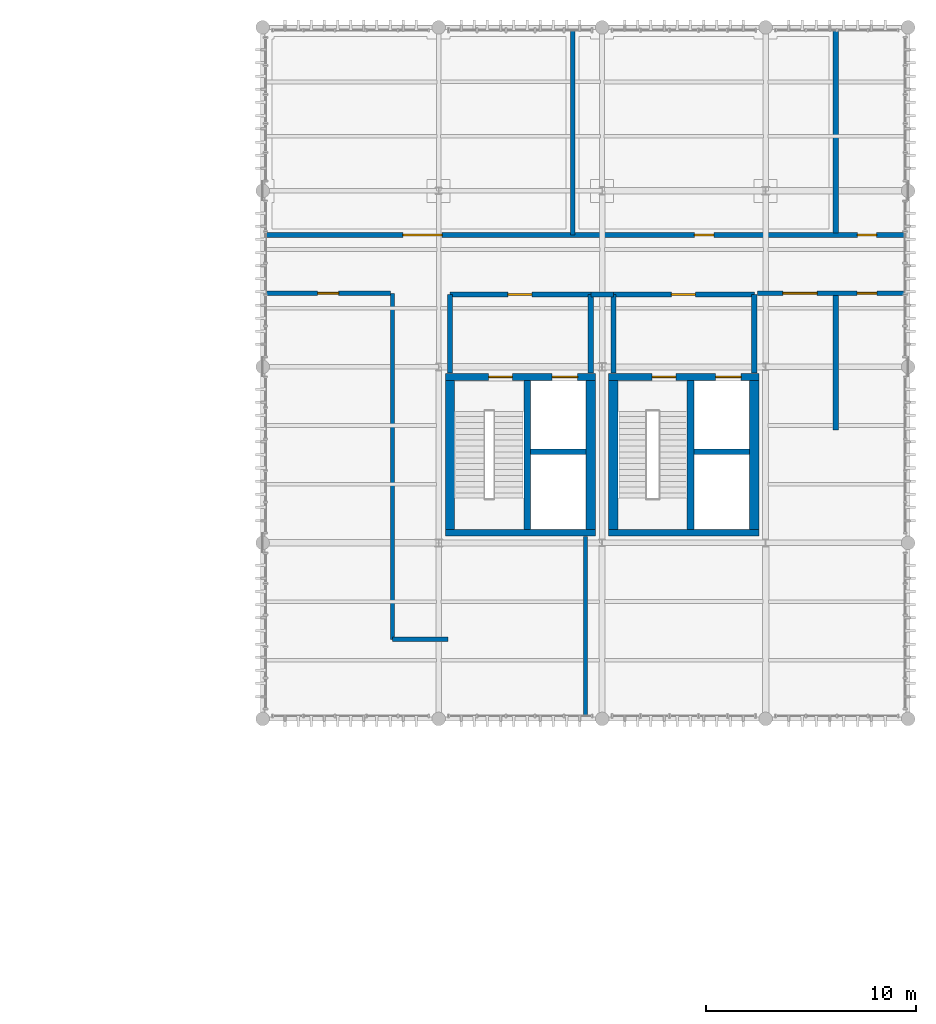
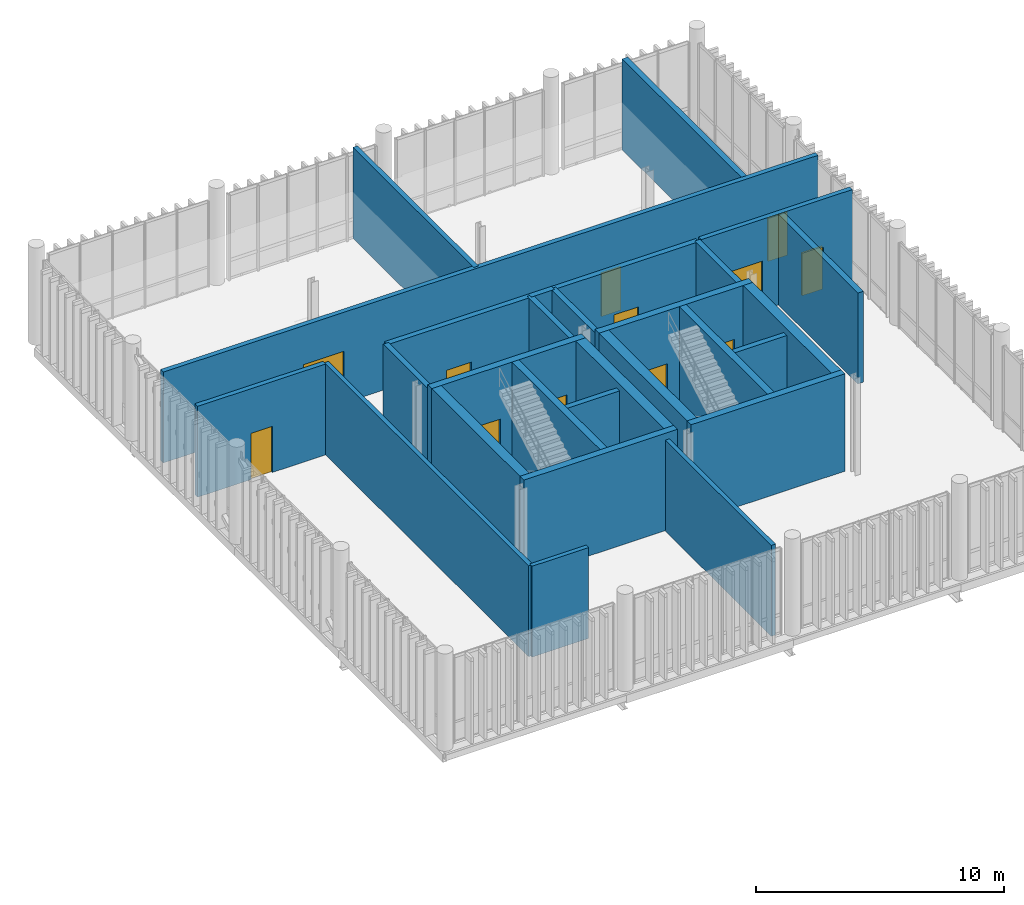
# One storey, part 74 of 86: 28 walls, 12 doors, 12 openings.
"""IFC4 building model written with IfcOpenShell, lengths in metres."""

from ifc_helpers import new_model, si_unit, direction, frame, frame_2d, origin_with_axes, place, context, subcontext, project, spatial, rectangle, extrude, material, layer, layer_set, type_object, element, fill, save


model = new_model("IFC4")

# Units and contexts
model_context = context("Model", 3, precision=1e-05, world=origin_with_axes(), true_north=direction((0.0, 1.0)))
body_context = subcontext(model_context, "Body", "Model", "MODEL_VIEW")
ifc_project = project(units=[si_unit("LENGTHUNIT", "METRE"), si_unit("AREAUNIT", "SQUARE_METRE"), si_unit("VOLUMEUNIT", "CUBIC_METRE"), si_unit("PLANEANGLEUNIT", "RADIAN"), si_unit("MASSUNIT", "GRAM", prefix="KILO"), si_unit("THERMODYNAMICTEMPERATUREUNIT", "KELVIN")], contexts=[model_context])

# Site, building, storey
site_placement = place(None, origin_with_axes())
site = spatial("IfcSite", under=ifc_project, at=site_placement, CompositionType="ELEMENT")
building_placement = place(site_placement, origin_with_axes())
building = spatial("IfcBuilding", under=site, at=building_placement, Name="Montbau Bow Law Courts", CompositionType="ELEMENT")
storey_placement = place(building_placement, frame((0.0, 0.0, 29.7), z_axis=(0.0, 0.0, 1.0), x_axis=(1.0, 0.0, 0.0)))
storey = spatial("IfcBuildingStorey", under=building, at=storey_placement, Name="L06", CompositionType="ELEMENT", Elevation=29.7)

# Walls
ifc_material_1 = material(Name="Concrete CSA A23.1 f'c 45 MPa", Category="concrete")
ifc_layer_1 = layer(ifc_material_1, 0.45, Name="Shear Wall", Category="concrete")
ifc_layer_set_1 = layer_set([ifc_layer_1], Name="Concrete CSA A23.1 f'c 45 MPa")
wall_type_1 = type_object("IfcWallType", Name="W-COR-02", PredefinedType="SHEAR", material=ifc_layer_set_1)
for number, where, z_axis, x_axis, name in (
    (1, (154.26, 87.04, 29.7), (0.0, 0.0, 1.0), (0.0, 1.0, 0.0), "WC-L06-0339:wal_0406"),
    (2, (147.54, 94.16, 29.7), (0.0, 0.0, 1.0), (0.0, -1.0, 0.0), "WC-L06-0340:wal_0407"),
    (3, (162.06, 87.04, 29.7), (0.0, 0.0, 1.0), (0.0, 1.0, 0.0), "WC-L06-0442:wal_0509"),
    (4, (155.34, 94.16, 29.7), (0.0, 0.0, 1.0), (0.0, -1.0, 0.0), "WC-L06-0443:wal_0510"),
):
    element("IfcWall", number, at=place(None, frame(where, z_axis=z_axis, x_axis=x_axis)), inside=storey, type_object=wall_type_1, Name=name, PredefinedType="SHEAR", context=body_context, shape_type="SweptSolid", body=[
        extrude(rectangle(XDim=7.11999999999999, YDim=0.45, at=frame_2d((3.56, 0.0), x_axis=(1.0, 0.0))), origin_with_axes(), (0.0, 0.0, 1.0), 4.8),
    ])
ifc_layer_2 = layer(ifc_material_1, 0.32, Name="Shear Wall", Category="concrete")
ifc_layer_set_2 = layer_set([ifc_layer_2], Name="Concrete CSA A23.1 f'c 45 MPa")
wall_type_2 = type_object("IfcWallType", Name="W-COR-05", PredefinedType="SHEAR", material=ifc_layer_set_2)
wall_1_placement = place(None, frame((147.315, 86.88, 29.7), z_axis=(0.0, 0.0, 1.0), x_axis=(1.0, 0.0, 0.0)))
element("IfcWall", 5, at=wall_1_placement, inside=storey, type_object=wall_type_2, Name="WC-L06-0337:wal_0404", PredefinedType="SHEAR", context=body_context, shape_type="SweptSolid", body=[
    extrude(rectangle(XDim=7.170000000000016, YDim=0.32, at=frame_2d((3.585, 0.0), x_axis=(1.0, 0.0))), origin_with_axes(), (0.0, 0.0, 1.0), 4.8),
])

# Wall, openings, doors
wall_2_placement = place(None, frame((154.485, 94.32, 29.7), z_axis=(0.0, 0.0, 1.0), x_axis=(-1.0, 0.0, 0.0)))
wall_2 = element("IfcWall", 6, at=wall_2_placement, inside=storey, type_object=wall_type_2, Name="WC-L06-0338:wal_0405", PredefinedType="SHEAR", context=body_context, shape_type="SweptSolid", body=[
    extrude(rectangle(XDim=7.170000000000016, YDim=0.32, at=frame_2d((3.585, 0.0), x_axis=(1.0, 0.0))), origin_with_axes(), (0.0, 0.0, 1.0), 4.8),
])
opening_1_placement = place(None, frame((149.95, 94.32, 29.7), z_axis=(0.0, 0.0, 1.0), x_axis=(-1.0, 0.0, 0.0)))
opening_1 = element("IfcOpeningElement", 7, at=opening_1_placement, cuts=wall_2, Name="OP-D-L06-ST-P2", PredefinedType="OPENING", context=body_context, shape_type="SweptSolid", body=[
    extrude(rectangle(XDim=1.14, YDim=2.18, at=frame_2d((0.0, 1.09), x_axis=(1.0, 0.0))), frame((0.0, 0.17, 0.0), z_axis=(0.0, -1.0, 0.0), x_axis=(1.0, 0.0, 0.0)), (0.0, 0.0, 1.0), 0.34),
])
opening_2_placement = place(None, frame((153.025, 94.32, 29.7), z_axis=(0.0, 0.0, 1.0), x_axis=(-1.0, 0.0, 0.0)))
opening_2 = element("IfcOpeningElement", 8, at=opening_2_placement, cuts=wall_2, Name="OP-LD-L06-EL-FF1", PredefinedType="OPENING", context=body_context, shape_type="SweptSolid", body=[
    extrude(rectangle(XDim=1.22, YDim=2.28, at=frame_2d((0.0, 1.14), x_axis=(1.0, 0.0))), frame((0.0, 0.17, 0.0), z_axis=(0.0, -1.0, 0.0), x_axis=(1.0, 0.0, 0.0)), (0.0, 0.0, 1.0), 0.34),
])
ifc_material_2 = material(Name="1.5 h Fire-Rated Hollow-Metal Exit Stair Door", Category="steel")
door_type_1 = type_object("IfcDoorType", Name="D-ST-01", OperationType="NOTDEFINED", ParameterTakesPrecedence=False, PredefinedType="DOOR", material=ifc_material_2)
door_1_placement = place(None, frame((149.95, 94.32, 29.7), z_axis=(0.0, 0.0, 1.0), x_axis=(1.0, 0.0, 0.0)))
door_1 = element("IfcDoor", 9, at=door_1_placement, inside=storey, type_object=door_type_1, Name="D-L06-ST-P2:dor_0165", OperationType="SINGLE_SWING_LEFT", OverallHeight=2.18, OverallWidth=1.14, PredefinedType="DOOR", context=body_context, shape_type="SweptSolid", body=[
    extrude(rectangle(XDim=1.14, YDim=2.18, at=frame_2d((0.0, 1.09), x_axis=(1.0, 0.0))), frame((0.0, 0.04, 0.0), z_axis=(0.0, -1.0, 0.0), x_axis=(1.0, 0.0, 0.0)), (0.0, 0.0, 1.0), 0.08),
])
fill(opening_1, door_1)
ifc_material_3 = material(Name="CSA B44 Firefighters Elevator Landing Door", Category="steel")
door_type_2 = type_object("IfcDoorType", Name="LD-FFE-01", OperationType="NOTDEFINED", ParameterTakesPrecedence=False, PredefinedType="DOOR", material=ifc_material_3)
door_2_placement = place(None, frame((153.025, 94.32, 29.7), z_axis=(0.0, 0.0, 1.0), x_axis=(1.0, 0.0, 0.0)))
door_2 = element("IfcDoor", 10, at=door_2_placement, inside=storey, type_object=door_type_2, Name="LD-L06-EL-FF1:dor_0166", OperationType="SLIDING_TO_LEFT", OverallHeight=2.28, OverallWidth=1.22, PredefinedType="DOOR", context=body_context, shape_type="SweptSolid", body=[
    extrude(rectangle(XDim=1.22, YDim=2.28, at=frame_2d((0.0, 1.14), x_axis=(1.0, 0.0))), frame((0.0, 0.04, 0.0), z_axis=(0.0, -1.0, 0.0), x_axis=(1.0, 0.0, 0.0)), (0.0, 0.0, 1.0), 0.08),
])
fill(opening_2, door_2)

# Walls
wall_3_placement = place(None, frame((151.22, 87.04, 29.7), z_axis=(0.0, 0.0, 1.0), x_axis=(0.0, 1.0, 0.0)))
element("IfcWall", 11, at=wall_3_placement, inside=storey, type_object=wall_type_2, Name="WS-L06-0341:wal_0408", PredefinedType="SHEAR", context=body_context, shape_type="SweptSolid", body=[
    extrude(rectangle(XDim=7.11999999999999, YDim=0.32, at=frame_2d((3.56, 0.0), x_axis=(1.0, 0.0))), origin_with_axes(), (0.0, 0.0, 1.0), 4.8),
])
wall_4_placement = place(None, frame((155.115, 86.88, 29.7), z_axis=(0.0, 0.0, 1.0), x_axis=(1.0, 0.0, 0.0)))
element("IfcWall", 12, at=wall_4_placement, inside=storey, type_object=wall_type_2, Name="WC-L06-0440:wal_0507", PredefinedType="SHEAR", context=body_context, shape_type="SweptSolid", body=[
    extrude(rectangle(XDim=7.1699999999999875, YDim=0.32, at=frame_2d((3.585, 0.0), x_axis=(1.0, 0.0))), origin_with_axes(), (0.0, 0.0, 1.0), 4.8),
])

# Wall, openings, doors
wall_5_placement = place(None, frame((162.285, 94.32, 29.7), z_axis=(0.0, 0.0, 1.0), x_axis=(-1.0, 0.0, 0.0)))
wall_5 = element("IfcWall", 13, at=wall_5_placement, inside=storey, type_object=wall_type_2, Name="WC-L06-0441:wal_0508", PredefinedType="SHEAR", context=body_context, shape_type="SweptSolid", body=[
    extrude(rectangle(XDim=7.1699999999999875, YDim=0.32, at=frame_2d((3.585, 0.0), x_axis=(1.0, 0.0))), origin_with_axes(), (0.0, 0.0, 1.0), 4.8),
])
opening_3_placement = place(None, frame((157.75, 94.32, 29.7), z_axis=(0.0, 0.0, 1.0), x_axis=(-1.0, 0.0, 0.0)))
opening_3 = element("IfcOpeningElement", 14, at=opening_3_placement, cuts=wall_5, Name="OP-D-L06-ST-J2", PredefinedType="OPENING", context=body_context, shape_type="SweptSolid", body=[
    extrude(rectangle(XDim=1.14, YDim=2.18, at=frame_2d((0.0, 1.09), x_axis=(1.0, 0.0))), frame((0.0, 0.17, 0.0), z_axis=(0.0, -1.0, 0.0), x_axis=(1.0, 0.0, 0.0)), (0.0, 0.0, 1.0), 0.34),
])
opening_4_placement = place(None, frame((160.825, 94.32, 29.7), z_axis=(0.0, 0.0, 1.0), x_axis=(-1.0, 0.0, 0.0)))
opening_4 = element("IfcOpeningElement", 15, at=opening_4_placement, cuts=wall_5, Name="OP-LD-L06-EL-FF2", PredefinedType="OPENING", context=body_context, shape_type="SweptSolid", body=[
    extrude(rectangle(XDim=1.22, YDim=2.28, at=frame_2d((0.0, 1.14), x_axis=(1.0, 0.0))), frame((0.0, 0.17, 0.0), z_axis=(0.0, -1.0, 0.0), x_axis=(1.0, 0.0, 0.0)), (0.0, 0.0, 1.0), 0.34),
])
door_3_placement = place(None, frame((157.75, 94.32, 29.7), z_axis=(0.0, 0.0, 1.0), x_axis=(1.0, 0.0, 0.0)))
door_3 = element("IfcDoor", 16, at=door_3_placement, inside=storey, type_object=door_type_1, Name="D-L06-ST-J2:dor_0203", OperationType="SINGLE_SWING_RIGHT", OverallHeight=2.18, OverallWidth=1.14, PredefinedType="DOOR", context=body_context, shape_type="SweptSolid", body=[
    extrude(rectangle(XDim=1.14, YDim=2.18, at=frame_2d((0.0, 1.09), x_axis=(1.0, 0.0))), frame((0.0, 0.04, 0.0), z_axis=(0.0, -1.0, 0.0), x_axis=(1.0, 0.0, 0.0)), (0.0, 0.0, 1.0), 0.08),
])
fill(opening_3, door_3)
door_4_placement = place(None, frame((160.825, 94.32, 29.7), z_axis=(0.0, 0.0, 1.0), x_axis=(1.0, 0.0, 0.0)))
door_4 = element("IfcDoor", 17, at=door_4_placement, inside=storey, type_object=door_type_2, Name="LD-L06-EL-FF2:dor_0204", OperationType="SLIDING_TO_LEFT", OverallHeight=2.28, OverallWidth=1.22, PredefinedType="DOOR", context=body_context, shape_type="SweptSolid", body=[
    extrude(rectangle(XDim=1.22, YDim=2.28, at=frame_2d((0.0, 1.14), x_axis=(1.0, 0.0))), frame((0.0, 0.04, 0.0), z_axis=(0.0, -1.0, 0.0), x_axis=(1.0, 0.0, 0.0)), (0.0, 0.0, 1.0), 0.08),
])
fill(opening_4, door_4)

# Walls
wall_6_placement = place(None, frame((159.02, 87.04, 29.7), z_axis=(0.0, 0.0, 1.0), x_axis=(0.0, 1.0, 0.0)))
element("IfcWall", 18, at=wall_6_placement, inside=storey, type_object=wall_type_2, Name="WS-L06-0444:wal_0511", PredefinedType="SHEAR", context=body_context, shape_type="SweptSolid", body=[
    extrude(rectangle(XDim=7.11999999999999, YDim=0.32, at=frame_2d((3.56, 0.0), x_axis=(1.0, 0.0))), origin_with_axes(), (0.0, 0.0, 1.0), 4.8),
])
ifc_material_4 = material(Name="Double-Stud Acoustic Plumbing Chase Gypsum Assembly", Category="gypsum")
ifc_layer_3 = layer(ifc_material_4, 0.26, Name="Plumbing Wall", Category="gypsum")
ifc_layer_set_3 = layer_set([ifc_layer_3], Name="Double-Stud Acoustic Plumbing Chase Gypsum Assembly")
wall_type_3 = type_object("IfcWallType", Name="W-PLM-01", PredefinedType="PLUMBINGWALL", material=ifc_layer_set_3)
wall_7_placement = place(None, frame((165.94, 101.19, 29.7), z_axis=(0.0, 0.0, 1.0), x_axis=(0.0, 1.0, 0.0)))
element("IfcWall", 19, at=wall_7_placement, inside=storey, type_object=wall_type_3, Name="WD-L06-0902:wal_0969", PredefinedType="PLUMBINGWALL", context=body_context, shape_type="SweptSolid", body=[
    extrude(rectangle(XDim=9.629999999999995, YDim=0.26, at=frame_2d((4.815, 0.0), x_axis=(1.0, 0.0))), origin_with_axes(), (0.0, 0.0, 1.0), 4.48),
])
wall_8_placement = place(None, frame((165.94, 91.78, 29.7), z_axis=(0.0, 0.0, 1.0), x_axis=(0.0, 1.0, 0.0)))
element("IfcWall", 20, at=wall_8_placement, inside=storey, type_object=wall_type_3, Name="WD-L06-0903:wal_0970", PredefinedType="PLUMBINGWALL", context=body_context, shape_type="SweptSolid", body=[
    extrude(rectangle(XDim=6.429999999999993, YDim=0.26, at=frame_2d((3.215, 0.0), x_axis=(1.0, 0.0))), origin_with_axes(), (0.0, 0.0, 1.0), 4.48),
])
ifc_material_5 = material(Name="2 h Shaft and Exit-Passage Fire Separation Partition", Category="gypsum")
ifc_layer_4 = layer(ifc_material_5, 0.25, Name="Partition", Category="gypsum")
ifc_layer_set_4 = layer_set([ifc_layer_4], Name="2 h Shaft and Exit-Passage Fire Separation Partition")
wall_type_4 = type_object("IfcWallType", Name="W-PRT-01", PredefinedType="PARTITIONING", material=ifc_layer_set_4)
wall_9_placement = place(None, frame((151.38, 90.749, 29.7), z_axis=(0.0, 0.0, 1.0), x_axis=(1.0, 0.0, 0.0)))
element("IfcWall", 21, at=wall_9_placement, inside=storey, type_object=wall_type_4, Name="WS-L06-0342:wal_0409", PredefinedType="PARTITIONING", context=body_context, shape_type="SweptSolid", body=[
    extrude(rectangle(XDim=2.655000000000001, YDim=0.25, at=frame_2d((1.3275, 0.0), x_axis=(1.0, 0.0))), origin_with_axes(), (0.0, 0.0, 1.0), 4.48),
])

# Wall, opening, door
wall_10_placement = place(None, frame((154.26, 98.25, 29.7), z_axis=(0.0, 0.0, 1.0), x_axis=(-1.0, 0.0, 0.0)))
wall_10 = element("IfcWall", 22, at=wall_10_placement, inside=storey, type_object=wall_type_4, Name="WFF-L06-0343:wal_0410", PredefinedType="PARTITIONING", context=body_context, shape_type="SweptSolid", body=[
    extrude(rectangle(XDim=6.719999999999999, YDim=0.25, at=frame_2d((3.36, 0.0), x_axis=(1.0, 0.0))), origin_with_axes(), (0.0, 0.0, 1.0), 4.48),
])
opening_5_placement = place(None, frame((150.875, 98.25, 29.7), z_axis=(0.0, 0.0, 1.0), x_axis=(-1.0, 0.0, 0.0)))
opening_5 = element("IfcOpeningElement", 23, at=opening_5_placement, cuts=wall_10, Name="OP-D-L06-FFL5", PredefinedType="OPENING", context=body_context, shape_type="SweptSolid", body=[
    extrude(rectangle(XDim=1.15, YDim=2.25, at=frame_2d((0.0, 1.125), x_axis=(1.0, 0.0))), frame((0.0, 0.135, 0.0), z_axis=(0.0, -1.0, 0.0), x_axis=(1.0, 0.0, 0.0)), (0.0, 0.0, 1.0), 0.27),
])
ifc_material_6 = material(Name="1.5 h Smoke-Sealed Firefighters Lobby Door", Category="steel")
door_type_3 = type_object("IfcDoorType", Name="D-FFL-01", OperationType="NOTDEFINED", ParameterTakesPrecedence=False, PredefinedType="DOOR", material=ifc_material_6)
door_5_placement = place(None, frame((150.875, 98.25, 29.7), z_axis=(0.0, 0.0, 1.0), x_axis=(1.0, 0.0, 0.0)))
door_5 = element("IfcDoor", 24, at=door_5_placement, inside=storey, type_object=door_type_3, Name="D-L06-FFL5:dor_0167", OperationType="SINGLE_SWING_RIGHT", OverallHeight=2.25, OverallWidth=1.15, PredefinedType="DOOR", context=body_context, shape_type="SweptSolid", body=[
    extrude(rectangle(XDim=1.15, YDim=2.25, at=frame_2d((0.0, 1.125), x_axis=(1.0, 0.0))), frame((0.0, 0.04, 0.0), z_axis=(0.0, -1.0, 0.0), x_axis=(1.0, 0.0, 0.0)), (0.0, 0.0, 1.0), 0.08),
])
fill(opening_5, door_5)

# Walls
for number, where, z_axis, x_axis, name in (
    (25, (147.54, 94.5, 29.7), (0.0, 0.0, 1.0), (0.0, 1.0, 0.0), "WFF-L06-0344:wal_0411"),
    (26, (154.26, 94.5, 29.7), (0.0, 0.0, 1.0), (0.0, 1.0, 0.0), "WFF-L06-0345:wal_0412"),
):
    element("IfcWall", number, at=place(None, frame(where, z_axis=z_axis, x_axis=x_axis)), inside=storey, type_object=wall_type_4, Name=name, PredefinedType="PARTITIONING", context=body_context, shape_type="SweptSolid", body=[
        extrude(rectangle(XDim=3.75, YDim=0.25, at=frame_2d((1.875, 0.0), x_axis=(1.0, 0.0))), origin_with_axes(), (0.0, 0.0, 1.0), 4.48),
    ])
wall_11_placement = place(None, frame((159.18, 90.749, 29.7), z_axis=(0.0, 0.0, 1.0), x_axis=(1.0, 0.0, 0.0)))
element("IfcWall", 27, at=wall_11_placement, inside=storey, type_object=wall_type_4, Name="WS-L06-0445:wal_0512", PredefinedType="PARTITIONING", context=body_context, shape_type="SweptSolid", body=[
    extrude(rectangle(XDim=2.655000000000001, YDim=0.25, at=frame_2d((1.3275, 0.0), x_axis=(1.0, 0.0))), origin_with_axes(), (0.0, 0.0, 1.0), 4.48),
])

# Wall, opening, door
wall_12_placement = place(None, frame((162.06, 98.25, 29.7), z_axis=(0.0, 0.0, 1.0), x_axis=(-1.0, 0.0, 0.0)))
wall_12 = element("IfcWall", 28, at=wall_12_placement, inside=storey, type_object=wall_type_4, Name="WFF-L06-0446:wal_0513", PredefinedType="PARTITIONING", context=body_context, shape_type="SweptSolid", body=[
    extrude(rectangle(XDim=6.719999999999999, YDim=0.25, at=frame_2d((3.36, 0.0), x_axis=(1.0, 0.0))), origin_with_axes(), (0.0, 0.0, 1.0), 4.48),
])
opening_6_placement = place(None, frame((158.675, 98.25, 29.7), z_axis=(0.0, 0.0, 1.0), x_axis=(-1.0, 0.0, 0.0)))
opening_6 = element("IfcOpeningElement", 29, at=opening_6_placement, cuts=wall_12, Name="OP-D-L06-FFL6", PredefinedType="OPENING", context=body_context, shape_type="SweptSolid", body=[
    extrude(rectangle(XDim=1.15, YDim=2.25, at=frame_2d((0.0, 1.125), x_axis=(1.0, 0.0))), frame((0.0, 0.135, 0.0), z_axis=(0.0, -1.0, 0.0), x_axis=(1.0, 0.0, 0.0)), (0.0, 0.0, 1.0), 0.27),
])
door_6_placement = place(None, frame((158.675, 98.25, 29.7), z_axis=(0.0, 0.0, 1.0), x_axis=(1.0, 0.0, 0.0)))
door_6 = element("IfcDoor", 30, at=door_6_placement, inside=storey, type_object=door_type_3, Name="D-L06-FFL6:dor_0205", OperationType="SINGLE_SWING_LEFT", OverallHeight=2.25, OverallWidth=1.15, PredefinedType="DOOR", context=body_context, shape_type="SweptSolid", body=[
    extrude(rectangle(XDim=1.15, YDim=2.25, at=frame_2d((0.0, 1.125), x_axis=(1.0, 0.0))), frame((0.0, 0.04, 0.0), z_axis=(0.0, -1.0, 0.0), x_axis=(1.0, 0.0, 0.0)), (0.0, 0.0, 1.0), 0.08),
])
fill(opening_6, door_6)

# Walls
for number, where, z_axis, x_axis, name in (
    (31, (155.34, 94.5, 29.7), (0.0, 0.0, 1.0), (0.0, 1.0, 0.0), "WFF-L06-0447:wal_0514"),
    (32, (162.06, 94.5, 29.7), (0.0, 0.0, 1.0), (0.0, 1.0, 0.0), "WFF-L06-0448:wal_0515"),
):
    element("IfcWall", number, at=place(None, frame(where, z_axis=z_axis, x_axis=x_axis)), inside=storey, type_object=wall_type_4, Name=name, PredefinedType="PARTITIONING", context=body_context, shape_type="SweptSolid", body=[
        extrude(rectangle(XDim=3.75, YDim=0.25, at=frame_2d((1.875, 0.0), x_axis=(1.0, 0.0))), origin_with_axes(), (0.0, 0.0, 1.0), 4.48),
    ])
wall_13_placement = place(None, frame((154.26, 98.25, 29.7), z_axis=(0.0, 0.0, 1.0), x_axis=(1.0, 0.0, 0.0)))
element("IfcWall", 33, at=wall_13_placement, inside=storey, type_object=wall_type_4, Name="WFF-L06-0550:wal_0617", PredefinedType="PARTITIONING", context=body_context, shape_type="SweptSolid", body=[
    extrude(rectangle(XDim=1.0800000000000125, YDim=0.25, at=frame_2d((0.54, 0.0), x_axis=(1.0, 0.0))), origin_with_axes(), (0.0, 0.0, 1.0), 4.48),
])

# Wall, openings, doors
ifc_material_7 = material(Name="STC-60 High-Acoustic Courtroom Perimeter Partition", Category="gypsum")
ifc_layer_5 = layer(ifc_material_7, 0.22, Name="Partition", Category="gypsum")
ifc_layer_set_5 = layer_set([ifc_layer_5], Name="STC-60 High-Acoustic Courtroom Perimeter Partition")
wall_type_5 = type_object("IfcWallType", Name="W-PRT-02", PredefinedType="PARTITIONING", material=ifc_layer_set_5)
wall_14_placement = place(None, frame((138.74, 101.09, 29.7), z_axis=(0.0, 0.0, 1.0), x_axis=(1.0, 0.0, 0.0)))
wall_14 = element("IfcWall", 34, at=wall_14_placement, inside=storey, type_object=wall_type_5, Name="WP-L06-0899:wal_0966", PredefinedType="PARTITIONING", context=body_context, shape_type="SweptSolid", body=[
    extrude(rectangle(XDim=30.519999999999982, YDim=0.22, at=frame_2d((15.26, 0.0), x_axis=(1.0, 0.0))), origin_with_axes(), (0.0, 0.0, 1.0), 4.48),
])
opening_7_placement = place(None, frame((146.228, 101.09, 29.7), z_axis=(0.0, 0.0, 1.0), x_axis=(1.0, 0.0, 0.0)))
opening_7 = element("IfcOpeningElement", 35, at=opening_7_placement, cuts=wall_14, Name="OP-D-L06-382", PredefinedType="OPENING", context=body_context, shape_type="SweptSolid", body=[
    extrude(rectangle(XDim=1.88, YDim=2.56, at=frame_2d((0.0, 1.28), x_axis=(1.0, 0.0))), frame((0.0, 0.12, 0.0), z_axis=(0.0, -1.0, 0.0), x_axis=(1.0, 0.0, 0.0)), (0.0, 0.0, 1.0), 0.24),
])
opening_8_placement = place(None, frame((159.666, 101.09, 29.7), z_axis=(0.0, 0.0, 1.0), x_axis=(1.0, 0.0, 0.0)))
opening_8 = element("IfcOpeningElement", 36, at=opening_8_placement, cuts=wall_14, Name="OP-D-L06-383", PredefinedType="OPENING", context=body_context, shape_type="SweptSolid", body=[
    extrude(rectangle(XDim=0.92, YDim=2.14, at=frame_2d((0.0, 1.07), x_axis=(1.0, 0.0))), frame((0.0, 0.12, 0.0), z_axis=(0.0, -1.0, 0.0), x_axis=(1.0, 0.0, 0.0)), (0.0, 0.0, 1.0), 0.24),
])
opening_9_placement = place(None, frame((167.438, 101.09, 29.7), z_axis=(0.0, 0.0, 1.0), x_axis=(1.0, 0.0, 0.0)))
opening_9 = element("IfcOpeningElement", 37, at=opening_9_placement, cuts=wall_14, Name="OP-D-L06-384", PredefinedType="OPENING", context=body_context, shape_type="SweptSolid", body=[
    extrude(rectangle(XDim=0.91, YDim=2.12, at=frame_2d((0.0, 1.06), x_axis=(1.0, 0.0))), frame((0.0, 0.12, 0.0), z_axis=(0.0, -1.0, 0.0), x_axis=(1.0, 0.0, 0.0)), (0.0, 0.0, 1.0), 0.24),
])
ifc_material_8 = material(Name="Acoustic White-Oak Criminal Jury Courtroom Double Door", Category="wood")
door_type_4 = type_object("IfcDoorType", Name="D-CRT-02", OperationType="NOTDEFINED", ParameterTakesPrecedence=False, PredefinedType="DOOR", material=ifc_material_8)
door_7_placement = place(None, frame((146.228, 101.09, 29.7), z_axis=(0.0, 0.0, 1.0), x_axis=(-1.0, 0.0, 0.0)))
door_7 = element("IfcDoor", 38, at=door_7_placement, inside=storey, type_object=door_type_4, Name="D-L06-382:dor_0417", OperationType="DOUBLE_DOOR_SINGLE_SWING", OverallHeight=2.56, OverallWidth=1.88, PredefinedType="DOOR", context=body_context, shape_type="SweptSolid", body=[
    extrude(rectangle(XDim=1.88, YDim=2.56, at=frame_2d((0.0, 1.28), x_axis=(1.0, 0.0))), frame((0.0, 0.04, 0.0), z_axis=(0.0, -1.0, 0.0), x_axis=(1.0, 0.0, 0.0)), (0.0, 0.0, 1.0), 0.08),
])
fill(opening_7, door_7)
ifc_material_9 = material(Name="Judicial Law Clerk and Registry Office Oak Door", Category="wood")
door_type_5 = type_object("IfcDoorType", Name="D-OFF-01", OperationType="NOTDEFINED", ParameterTakesPrecedence=False, PredefinedType="DOOR", material=ifc_material_9)
door_8_placement = place(None, frame((159.666, 101.09, 29.7), z_axis=(0.0, 0.0, 1.0), x_axis=(-1.0, 0.0, 0.0)))
door_8 = element("IfcDoor", 39, at=door_8_placement, inside=storey, type_object=door_type_5, Name="D-L06-383:dor_0418", OperationType="SINGLE_SWING_LEFT", OverallHeight=2.14, OverallWidth=0.92, PredefinedType="DOOR", context=body_context, shape_type="SweptSolid", body=[
    extrude(rectangle(XDim=0.92, YDim=2.14, at=frame_2d((0.0, 1.07), x_axis=(1.0, 0.0))), frame((0.0, 0.04, 0.0), z_axis=(0.0, -1.0, 0.0), x_axis=(1.0, 0.0, 0.0)), (0.0, 0.0, 1.0), 0.08),
])
fill(opening_8, door_8)
ifc_material_10 = material(Name="Public and Judicial Washroom Solid-Core Door", Category="wood")
door_type_6 = type_object("IfcDoorType", Name="D-WC-02", OperationType="NOTDEFINED", ParameterTakesPrecedence=False, PredefinedType="DOOR", material=ifc_material_10)
door_9_placement = place(None, frame((167.438, 101.09, 29.7), z_axis=(0.0, 0.0, 1.0), x_axis=(-1.0, 0.0, 0.0)))
door_9 = element("IfcDoor", 40, at=door_9_placement, inside=storey, type_object=door_type_6, Name="D-L06-384:dor_0419", OperationType="SINGLE_SWING_RIGHT", OverallHeight=2.12, OverallWidth=0.91, PredefinedType="DOOR", context=body_context, shape_type="SweptSolid", body=[
    extrude(rectangle(XDim=0.91, YDim=2.12, at=frame_2d((0.0, 1.06), x_axis=(1.0, 0.0))), frame((0.0, 0.04, 0.0), z_axis=(0.0, -1.0, 0.0), x_axis=(1.0, 0.0, 0.0)), (0.0, 0.0, 1.0), 0.08),
])
fill(opening_9, door_9)

# Wall, opening, door
wall_15_placement = place(None, frame((138.74, 98.31, 29.7), z_axis=(0.0, 0.0, 1.0), x_axis=(1.0, 0.0, 0.0)))
wall_15 = element("IfcWall", 41, at=wall_15_placement, inside=storey, type_object=wall_type_5, Name="WP-L06-0900:wal_0967", PredefinedType="PARTITIONING", context=body_context, shape_type="SweptSolid", body=[
    extrude(rectangle(XDim=5.9599999999999795, YDim=0.22, at=frame_2d((2.98, 0.0), x_axis=(1.0, 0.0))), origin_with_axes(), (0.0, 0.0, 1.0), 4.48),
])
opening_10_placement = place(None, frame((141.72, 98.31, 29.7), z_axis=(0.0, 0.0, 1.0), x_axis=(1.0, 0.0, 0.0)))
opening_10 = element("IfcOpeningElement", 42, at=opening_10_placement, cuts=wall_15, Name="OP-D-L06-385", PredefinedType="OPENING", context=body_context, shape_type="SweptSolid", body=[
    extrude(rectangle(XDim=1.0, YDim=2.28, at=frame_2d((0.0, 1.14), x_axis=(1.0, 0.0))), frame((0.0, 0.12, 0.0), z_axis=(0.0, -1.0, 0.0), x_axis=(1.0, 0.0, 0.0)), (0.0, 0.0, 1.0), 0.24),
])
ifc_material_11 = material(Name="Prisoner Dock Security Steel Acoustic Door", Category="steel")
door_type_7 = type_object("IfcDoorType", Name="D-CRT-06", OperationType="NOTDEFINED", ParameterTakesPrecedence=False, PredefinedType="DOOR", material=ifc_material_11)
door_10_placement = place(None, frame((141.72, 98.31, 29.7), z_axis=(0.0, 0.0, 1.0), x_axis=(1.0, 0.0, 0.0)))
door_10 = element("IfcDoor", 43, at=door_10_placement, inside=storey, type_object=door_type_7, Name="D-L06-385:dor_0420", OperationType="SINGLE_SWING_LEFT", OverallHeight=2.28, OverallWidth=1.0, PredefinedType="DOOR", context=body_context, shape_type="SweptSolid", body=[
    extrude(rectangle(XDim=1.0, YDim=2.28, at=frame_2d((0.0, 1.14), x_axis=(1.0, 0.0))), frame((0.0, 0.04, 0.0), z_axis=(0.0, -1.0, 0.0), x_axis=(1.0, 0.0, 0.0)), (0.0, 0.0, 1.0), 0.08),
])
fill(opening_10, door_10)

# Wall, openings, doors
wall_16_placement = place(None, frame((162.22, 98.31, 29.7), z_axis=(0.0, 0.0, 1.0), x_axis=(1.0, 0.0, 0.0)))
wall_16 = element("IfcWall", 44, at=wall_16_placement, inside=storey, type_object=wall_type_5, Name="WP-L06-0901:wal_0968", PredefinedType="PARTITIONING", context=body_context, shape_type="SweptSolid", body=[
    extrude(rectangle(XDim=7.039999999999992, YDim=0.22, at=frame_2d((3.52, 0.0), x_axis=(1.0, 0.0))), origin_with_axes(), (0.0, 0.0, 1.0), 4.48),
])
opening_11_placement = place(None, frame((164.242, 98.31, 29.7), z_axis=(0.0, 0.0, 1.0), x_axis=(1.0, 0.0, 0.0)))
opening_11 = element("IfcOpeningElement", 45, at=opening_11_placement, cuts=wall_16, Name="OP-D-L06-386", PredefinedType="OPENING", context=body_context, shape_type="SweptSolid", body=[
    extrude(rectangle(XDim=1.64, YDim=2.42, at=frame_2d((0.0, 1.21), x_axis=(1.0, 0.0))), frame((0.0, 0.12, 0.0), z_axis=(0.0, -1.0, 0.0), x_axis=(1.0, 0.0, 0.0)), (0.0, 0.0, 1.0), 0.24),
])
opening_12_placement = place(None, frame((167.438, 98.31, 29.7), z_axis=(0.0, 0.0, 1.0), x_axis=(1.0, 0.0, 0.0)))
opening_12 = element("IfcOpeningElement", 46, at=opening_12_placement, cuts=wall_16, Name="OP-D-L06-387", PredefinedType="OPENING", context=body_context, shape_type="SweptSolid", body=[
    extrude(rectangle(XDim=0.95, YDim=2.1, at=frame_2d((0.0, 1.05), x_axis=(1.0, 0.0))), frame((0.0, 0.12, 0.0), z_axis=(0.0, -1.0, 0.0), x_axis=(1.0, 0.0, 0.0)), (0.0, 0.0, 1.0), 0.24),
])
ifc_material_12 = material(Name="Acoustic White-Oak Civil and Family Hearing Double Door", Category="wood")
door_type_8 = type_object("IfcDoorType", Name="D-CRT-04", OperationType="NOTDEFINED", ParameterTakesPrecedence=False, PredefinedType="DOOR", material=ifc_material_12)
door_11_placement = place(None, frame((164.242, 98.31, 29.7), z_axis=(0.0, 0.0, 1.0), x_axis=(1.0, 0.0, 0.0)))
door_11 = element("IfcDoor", 47, at=door_11_placement, inside=storey, type_object=door_type_8, Name="D-L06-386:dor_0421", OperationType="DOUBLE_DOOR_SINGLE_SWING", OverallHeight=2.42, OverallWidth=1.64, PredefinedType="DOOR", context=body_context, shape_type="SweptSolid", body=[
    extrude(rectangle(XDim=1.64, YDim=2.42, at=frame_2d((0.0, 1.21), x_axis=(1.0, 0.0))), frame((0.0, 0.04, 0.0), z_axis=(0.0, -1.0, 0.0), x_axis=(1.0, 0.0, 0.0)), (0.0, 0.0, 1.0), 0.08),
])
fill(opening_11, door_11)
ifc_material_13 = material(Name="CSA B651 Universal Barrier-Free Washroom Door", Category="wood")
door_type_9 = type_object("IfcDoorType", Name="D-WC-01", OperationType="NOTDEFINED", ParameterTakesPrecedence=False, PredefinedType="DOOR", material=ifc_material_13)
door_12_placement = place(None, frame((167.438, 98.31, 29.7), z_axis=(0.0, 0.0, 1.0), x_axis=(1.0, 0.0, 0.0)))
door_12 = element("IfcDoor", 48, at=door_12_placement, inside=storey, type_object=door_type_9, Name="D-L06-387:dor_0422", OperationType="SINGLE_SWING_RIGHT", OverallHeight=2.1, OverallWidth=0.95, PredefinedType="DOOR", context=body_context, shape_type="SweptSolid", body=[
    extrude(rectangle(XDim=0.95, YDim=2.1, at=frame_2d((0.0, 1.05), x_axis=(1.0, 0.0))), frame((0.0, 0.04, 0.0), z_axis=(0.0, -1.0, 0.0), x_axis=(1.0, 0.0, 0.0)), (0.0, 0.0, 1.0), 0.08),
])
fill(opening_12, door_12)

# Walls
wall_17_placement = place(None, frame((153.393, 101.09, 29.7), z_axis=(0.0, 0.0, 1.0), x_axis=(0.0, 1.0, 0.0)))
element("IfcWall", 49, at=wall_17_placement, inside=storey, type_object=wall_type_5, Name="WD-L06-0904:wal_0971", PredefinedType="PARTITIONING", context=body_context, shape_type="SweptSolid", body=[
    extrude(rectangle(XDim=9.769999999999996, YDim=0.22, at=frame_2d((4.885, 0.0), x_axis=(1.0, 0.0))), origin_with_axes(), (0.0, 0.0, 1.0), 4.48),
])
ifc_material_14 = material(Name="STC-55 Jury Deliberation Security Partition", Category="gypsum")
ifc_layer_6 = layer(ifc_material_14, 0.2, Name="Partition", Category="gypsum")
ifc_layer_set_6 = layer_set([ifc_layer_6], Name="STC-55 Jury Deliberation Security Partition")
wall_type_6 = type_object("IfcWallType", Name="W-PRT-03", PredefinedType="PARTITIONING", material=ifc_layer_set_6)
wall_18_placement = place(None, frame((144.8, 81.8, 29.7), z_axis=(0.0, 0.0, 1.0), x_axis=(0.0, 1.0, 0.0)))
element("IfcWall", 50, at=wall_18_placement, inside=storey, type_object=wall_type_6, Name="WCX-L06-0897:wal_0964", PredefinedType="PARTITIONING", context=body_context, shape_type="SweptSolid", body=[
    extrude(rectangle(XDim=16.510000000000005, YDim=0.2, at=frame_2d((8.255, 0.0), x_axis=(1.0, 0.0))), origin_with_axes(), (0.0, 0.0, 1.0), 4.48),
])
wall_19_placement = place(None, frame((144.8, 81.8, 29.7), z_axis=(0.0, 0.0, 1.0), x_axis=(1.0, 0.0, 0.0)))
element("IfcWall", 51, at=wall_19_placement, inside=storey, type_object=wall_type_6, Name="WCX-L06-0898:wal_0965", PredefinedType="PARTITIONING", context=body_context, shape_type="SweptSolid", body=[
    extrude(rectangle(XDim=2.6399999999999864, YDim=0.2, at=frame_2d((1.32, 0.0), x_axis=(1.0, 0.0))), origin_with_axes(), (0.0, 0.0, 1.0), 4.48),
])
wall_20_placement = place(None, frame((154.0, 78.14, 29.7), z_axis=(0.0, 0.0, 1.0), x_axis=(0.0, 1.0, 0.0)))
element("IfcWall", 52, at=wall_20_placement, inside=storey, type_object=wall_type_6, Name="WD-L06-0905:wal_0972", PredefinedType="PARTITIONING", context=body_context, shape_type="SweptSolid", body=[
    extrude(rectangle(XDim=8.560000000000002, YDim=0.2, at=frame_2d((4.28, 0.0), x_axis=(1.0, 0.0))), origin_with_axes(), (0.0, 0.0, 1.0), 4.48),
])

save(model, "model.ifc")
